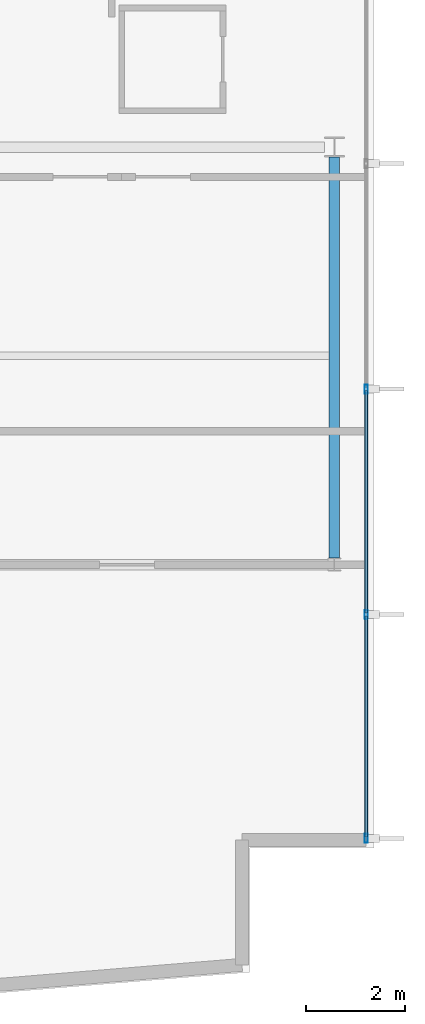
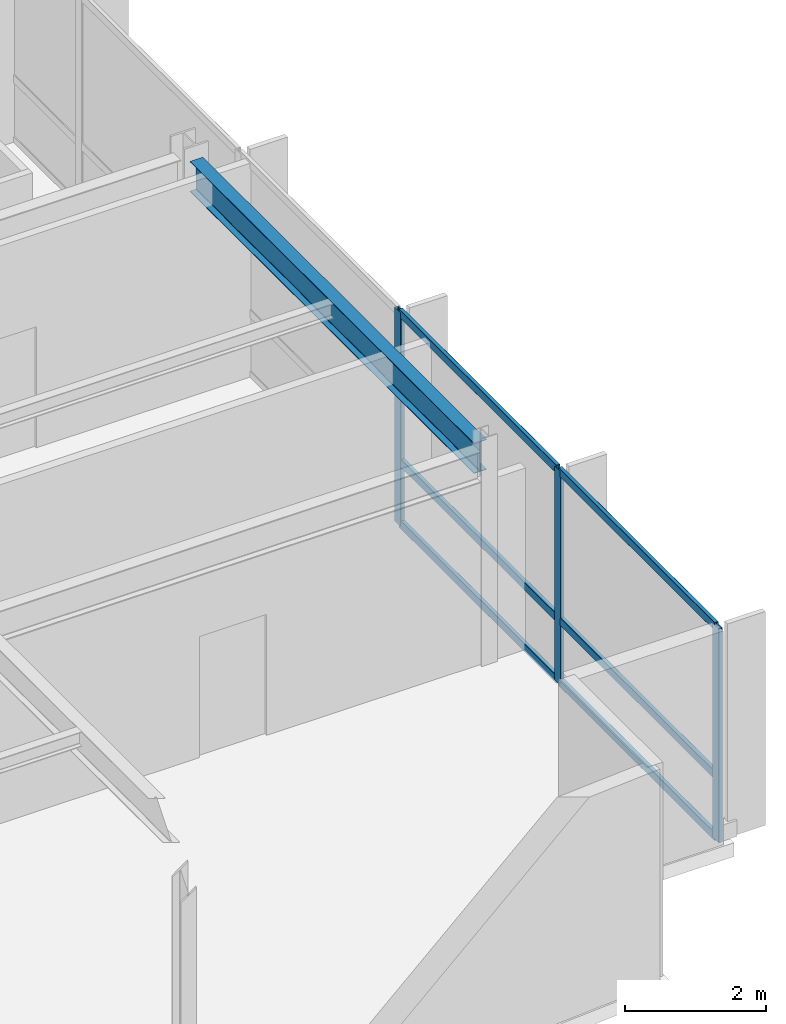
# One storey, part 5 of 17: 9 members, 1 beam, 1 element without a shape of its own.
"""IFC4 building model written with IfcOpenShell, lengths in metres."""

from ifc_helpers import new_model, si_unit, direction, frame, origin, origin_2d, place, context, subcontext, project, spatial, hollow_rectangle, i_section, extrude, material, layer, layer_set, material_profile, profile_set, type_object, element, aggregate, save


model = new_model("IFC4")

# Units and contexts
model_context = context("Model", 3, precision=1e-05, world=origin(), true_north=direction((0.0, 1.0)))
body_context = subcontext(model_context, "Body", "Model", "MODEL_VIEW")
ifc_project = project(units=[si_unit("LENGTHUNIT", "METRE"), si_unit("AREAUNIT", "SQUARE_METRE"), si_unit("VOLUMEUNIT", "CUBIC_METRE"), si_unit("PLANEANGLEUNIT", "RADIAN"), si_unit("MASSUNIT", "GRAM", prefix="KILO")], contexts=[model_context])

# Site, building, storey
site_placement = place(None, origin())
site = spatial("IfcSite", under=ifc_project, at=site_placement, CompositionType="ELEMENT")
building_placement = place(site_placement, origin())
building = spatial("IfcBuilding", under=site, at=building_placement, Name="Varnakote Quay Hospital", CompositionType="ELEMENT")
storey_placement = place(building_placement, frame((0.0, 0.0, 219.75)))
storey = spatial("IfcBuildingStorey", under=building, at=storey_placement, Name="L54", CompositionType="ELEMENT", Elevation=219.75)

# Beam
ifc_material_1 = material(Name="Structural steel AS/NZS 3679.1 Grade 350 L0 (fy 340 MPa)", Category="steel")
ifc_material_profile_1 = material_profile(ifc_material_1, i_section(OverallWidth=0.208984375, OverallDepth=0.528076171875, WebThickness=0.009521484375, FlangeThickness=0.01318359375, FilletRadius=0.013916015625, at=origin_2d()), Name="530UB82.0")
ifc_profile_set_1 = profile_set([ifc_material_profile_1], Name="Structural steel AS/NZS 3679.1 Grade 350 L0 (fy 340 MPa)")
beam_type = type_object("IfcBeamType", Name="BM-STL-530UB82-0", PredefinedType="BEAM", material=ifc_profile_set_1)
beam_placement = place(storey_placement, frame((50.39990234375, 12.1298828125, 3.446044921875), z_axis=(0.0, 1.0, 0.0), x_axis=(-1.0, 0.0, 0.0)))
element("IfcBeam", 1, at=beam_placement, inside=storey, type_object=beam_type, Name="L54 Primary Tie Beam", PredefinedType="BEAM", context=body_context, shape_type="SweptSolid", body=[
    extrude(i_section(OverallWidth=0.208984375, OverallDepth=0.528076171875, WebThickness=0.009521484375, FlangeThickness=0.01318359375, FilletRadius=0.013916015625, at=origin_2d()), origin(), (0.0, 0.0, 1.0), 8.068115234375),
])

# Curtain wall, members
ifc_material_2 = material(Name="Anodised aluminium 6063-T6 Bronze", Category="aluminium")
ifc_layer = layer(ifc_material_2, 0.219970703125)
ifc_layer_set = layer_set([ifc_layer], Name="Anodised aluminium 6063-T6 Bronze")
curtain_wall_type = type_object("IfcCurtainWallType", Name="CW-SYS-4", PredefinedType="NOTDEFINED", material=ifc_layer_set)
curtain_wall_placement = place(storey_placement, origin())
curtain_wall = element("IfcCurtainWall", 2, at=curtain_wall_placement, inside=storey, type_object=curtain_wall_type, Name="L54 Unitised Bronze Curtain Wall 1", PredefinedType="NOTDEFINED")
ifc_material_3 = material(Name="Anodised aluminium 6063-T6 Bronze", Category="aluminium")
ifc_material_profile_2 = material_profile(ifc_material_3, hollow_rectangle(XDim=0.06494140625, YDim=0.179931640625, WallThickness=0.00390625, InnerFilletRadius=0.00390625, OuterFilletRadius=0.008056640625, at=origin_2d()), Name="CW-MULL-180x65")
ifc_profile_set_2 = profile_set([ifc_material_profile_2], Name="Anodised aluminium 6063-T6 Bronze")
member_type_1 = type_object("IfcMemberType", Name="CW-MULL-180x65", PredefinedType="MULLION", material=ifc_profile_set_2)
member_1_placement = place(storey_placement, frame((51.0400390625, 6.492431640625, 0.0), z_axis=(0.0, 0.0, 1.0), x_axis=(-1.0, 0.0, 0.0)))
member_1 = element("IfcMember", 3, at=member_1_placement, type_object=member_type_1, Name="-4-L54-1 mullion 1", PredefinedType="MULLION", context=body_context, shape_type="SweptSolid", body=[
    extrude(hollow_rectangle(XDim=0.06494140625, YDim=0.179931640625, WallThickness=0.00390625, InnerFilletRadius=0.00390625, OuterFilletRadius=0.008056640625, at=origin_2d()), origin(), (0.0, 0.0, 1.0), 3.7099609375),
])
member_2_placement = place(storey_placement, frame((51.0400390625, 10.99609375, 0.0), z_axis=(0.0, 0.0, 1.0), x_axis=(-1.0, 0.0, 0.0)))
member_2 = element("IfcMember", 4, at=member_2_placement, type_object=member_type_1, Name="-4-L54-1 mullion 2", PredefinedType="MULLION", context=body_context, shape_type="SweptSolid", body=[
    extrude(hollow_rectangle(XDim=0.06494140625, YDim=0.179931640625, WallThickness=0.00390625, InnerFilletRadius=0.00390625, OuterFilletRadius=0.008056640625, at=origin_2d()), origin(), (0.0, 0.0, 1.0), 3.7099609375),
])
member_3_placement = place(storey_placement, frame((51.0400390625, 15.531982421875, 0.0), z_axis=(0.0, 0.0, 1.0), x_axis=(-1.0, 0.0, 0.0)))
member_3 = element("IfcMember", 5, at=member_3_placement, type_object=member_type_1, Name="-4-L54-1 mullion 3", PredefinedType="MULLION", context=body_context, shape_type="SweptSolid", body=[
    extrude(hollow_rectangle(XDim=0.06494140625, YDim=0.179931640625, WallThickness=0.00390625, InnerFilletRadius=0.00390625, OuterFilletRadius=0.008056640625, at=origin_2d()), origin(), (0.0, 0.0, 1.0), 3.7099609375),
])
ifc_material_4 = material(Name="Anodised aluminium 6063-T6 Bronze", Category="aluminium")
ifc_material_profile_3 = material_profile(ifc_material_4, hollow_rectangle(XDim=0.06494140625, YDim=0.139892578125, WallThickness=0.00390625, InnerFilletRadius=0.00390625, OuterFilletRadius=0.007568359375, at=origin_2d()), Name="CW-TRAN-140x65")
ifc_profile_set_3 = profile_set([ifc_material_profile_3], Name="Anodised aluminium 6063-T6 Bronze")
member_type_2 = type_object("IfcMemberType", Name="CW-TRAN-140x65", PredefinedType="USERDEFINED", material=ifc_profile_set_3)
member_4_placement = place(storey_placement, frame((51.0400390625, 6.52490234375, 0.032470703125), z_axis=(0.0, 1.0, 0.0), x_axis=(-1.0, 0.0, 0.0)))
member_4 = element("IfcMember", 6, at=member_4_placement, type_object=member_type_2, Name="-4-L54-1 transom 1.1", ObjectType="TRANSOM", PredefinedType="USERDEFINED", context=body_context, shape_type="SweptSolid", body=[
    extrude(hollow_rectangle(XDim=0.06494140625, YDim=0.139892578125, WallThickness=0.00390625, InnerFilletRadius=0.00390625, OuterFilletRadius=0.007568359375, at=origin_2d()), origin(), (0.0, 0.0, 1.0), 4.4384765625),
])
member_5_placement = place(storey_placement, frame((51.0400390625, 6.52490234375, 1.10009765625), z_axis=(0.0, 1.0, 0.0), x_axis=(-1.0, 0.0, 0.0)))
member_5 = element("IfcMember", 7, at=member_5_placement, type_object=member_type_2, Name="-4-L54-1 transom 1.2", ObjectType="TRANSOM", PredefinedType="USERDEFINED", context=body_context, shape_type="SweptSolid", body=[
    extrude(hollow_rectangle(XDim=0.06494140625, YDim=0.139892578125, WallThickness=0.00390625, InnerFilletRadius=0.00390625, OuterFilletRadius=0.007568359375, at=origin_2d()), origin(), (0.0, 0.0, 1.0), 4.4384765625),
])
member_6_placement = place(storey_placement, frame((51.0400390625, 6.52490234375, 3.677490234375), z_axis=(0.0, 1.0, 0.0), x_axis=(-1.0, 0.0, 0.0)))
member_6 = element("IfcMember", 8, at=member_6_placement, type_object=member_type_2, Name="-4-L54-1 transom 1.3", ObjectType="TRANSOM", PredefinedType="USERDEFINED", context=body_context, shape_type="SweptSolid", body=[
    extrude(hollow_rectangle(XDim=0.06494140625, YDim=0.139892578125, WallThickness=0.00390625, InnerFilletRadius=0.00390625, OuterFilletRadius=0.007568359375, at=origin_2d()), origin(), (0.0, 0.0, 1.0), 4.4384765625),
])
member_7_placement = place(storey_placement, frame((51.0400390625, 11.028564453125, 0.032470703125), z_axis=(0.0, 1.0, 0.0), x_axis=(-1.0, 0.0, 0.0)))
member_7 = element("IfcMember", 9, at=member_7_placement, type_object=member_type_2, Name="-4-L54-1 transom 2.1", ObjectType="TRANSOM", PredefinedType="USERDEFINED", context=body_context, shape_type="SweptSolid", body=[
    extrude(hollow_rectangle(XDim=0.06494140625, YDim=0.139892578125, WallThickness=0.00390625, InnerFilletRadius=0.00390625, OuterFilletRadius=0.007568359375, at=origin_2d()), origin(), (0.0, 0.0, 1.0), 4.470947265625),
])
member_8_placement = place(storey_placement, frame((51.0400390625, 11.028564453125, 1.10009765625), z_axis=(0.0, 1.0, 0.0), x_axis=(-1.0, 0.0, 0.0)))
member_8 = element("IfcMember", 10, at=member_8_placement, type_object=member_type_2, Name="-4-L54-1 transom 2.2", ObjectType="TRANSOM", PredefinedType="USERDEFINED", context=body_context, shape_type="SweptSolid", body=[
    extrude(hollow_rectangle(XDim=0.06494140625, YDim=0.139892578125, WallThickness=0.00390625, InnerFilletRadius=0.00390625, OuterFilletRadius=0.007568359375, at=origin_2d()), origin(), (0.0, 0.0, 1.0), 4.470947265625),
])
member_9_placement = place(storey_placement, frame((51.0400390625, 11.028564453125, 3.677490234375), z_axis=(0.0, 1.0, 0.0), x_axis=(-1.0, 0.0, 0.0)))
member_9 = element("IfcMember", 11, at=member_9_placement, type_object=member_type_2, Name="-4-L54-1 transom 2.3", ObjectType="TRANSOM", PredefinedType="USERDEFINED", context=body_context, shape_type="SweptSolid", body=[
    extrude(hollow_rectangle(XDim=0.06494140625, YDim=0.139892578125, WallThickness=0.00390625, InnerFilletRadius=0.00390625, OuterFilletRadius=0.007568359375, at=origin_2d()), origin(), (0.0, 0.0, 1.0), 4.470947265625),
])
aggregate(curtain_wall, [member_1, member_2, member_3, member_4, member_5, member_6, member_7, member_8, member_9])

save(model, "model.ifc")
